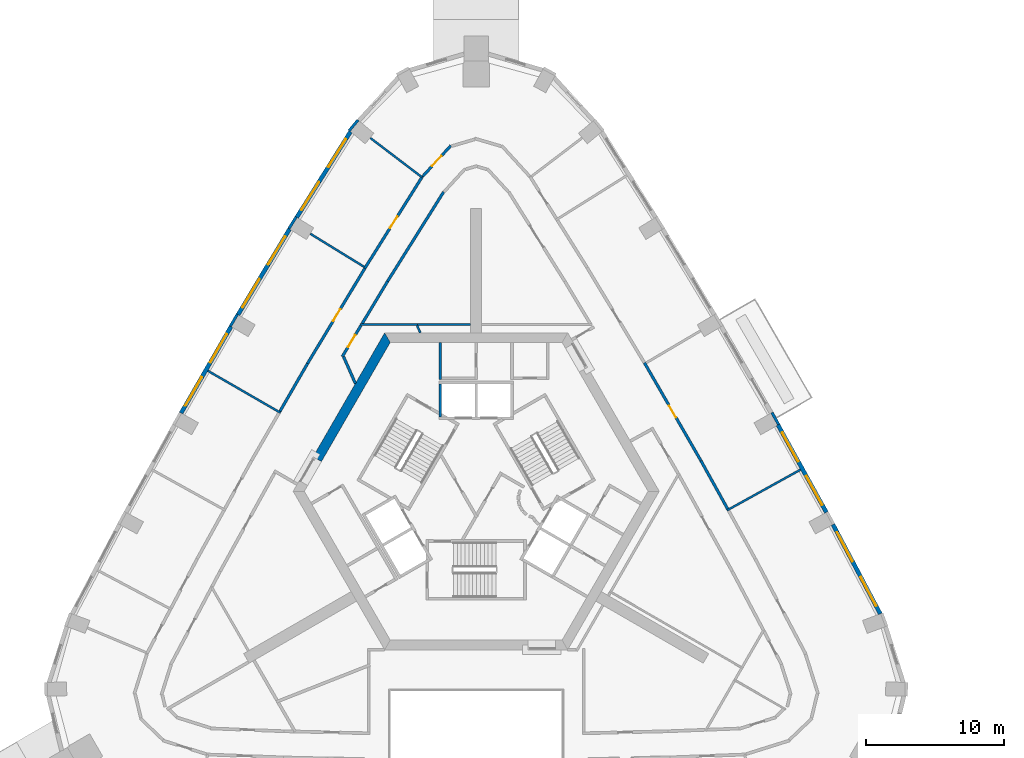
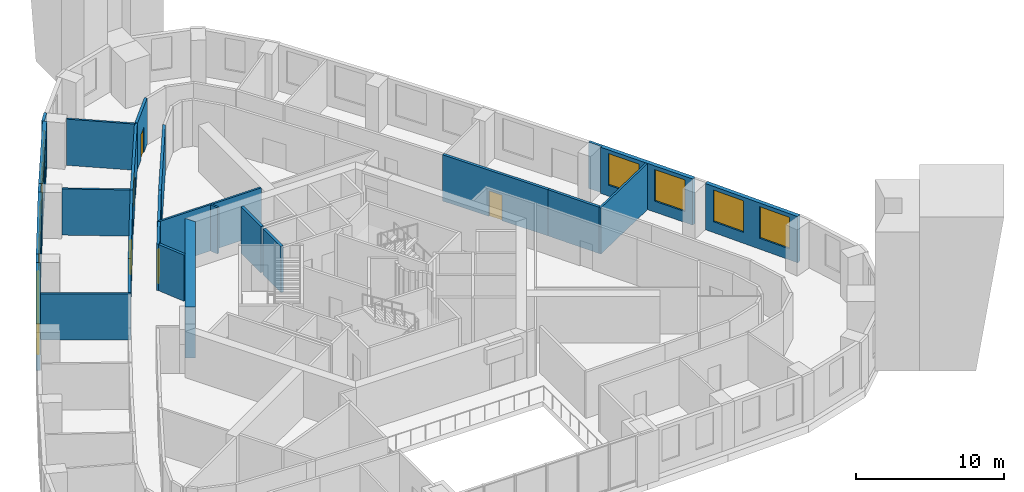
# One storey, part 8 of 13: 29 walls, 10 windows, 5 doors, 15 openings.
"""IFC4 building model written with IfcOpenShell, lengths in metres."""

from ifc_helpers import new_model, si_unit, direction, frame, frame_2d, origin, place, context, subcontext, project, spatial, polyline, rectangle, outline, extrude, material, layer, layer_set, type_object, element, fill, save


model = new_model("IFC4")

# Units and contexts
model_context = context("Model", 3, precision=1e-05, world=origin(), true_north=direction((0.0, 1.0)))
body_context = subcontext(model_context, "Body", "Model", "MODEL_VIEW")
ifc_project = project(units=[si_unit("LENGTHUNIT", "METRE"), si_unit("AREAUNIT", "SQUARE_METRE"), si_unit("VOLUMEUNIT", "CUBIC_METRE"), si_unit("PLANEANGLEUNIT", "RADIAN"), si_unit("MASSUNIT", "GRAM", prefix="KILO")], contexts=[model_context])

# Site, building, storey
site_placement = place(None, origin())
site = spatial("IfcSite", under=ifc_project, at=site_placement, CompositionType="ELEMENT")
building_placement = place(site_placement, origin())
building = spatial("IfcBuilding", under=site, at=building_placement, Name="Entoto Arch Interchange Tower", CompositionType="ELEMENT")
storey_placement = place(building_placement, frame((0.0, 0.0, 215.0)))
storey = spatial("IfcBuildingStorey", under=building, at=storey_placement, Name="L48", CompositionType="ELEMENT", Elevation=215.0)

# Walls
ifc_material_1 = material(Name="Concrete C50/60", Category="concrete")
ifc_layer_1 = layer(ifc_material_1, 0.699951171875)
ifc_layer_set_1 = layer_set([ifc_layer_1], Name="Concrete C50/60")
wall_type_1 = type_object("IfcWallType", Name="Core wall 700 C50/60", PredefinedType="SHEAR", material=ifc_layer_set_1)
wall_1_placement = place(storey_placement, frame((0.0, 0.0, -0.39990234375)))
element("IfcWall", 1, at=wall_1_placement, inside=storey, type_object=wall_type_1, Name="Core wall NW L48", PredefinedType="SHEAR", context=body_context, shape_type="SweptSolid", body=[
    extrude(outline(polyline([(-11.833984375, 5.001953125), (-11.22802734375, 4.652099609375), (-6.235107421875, 13.300048828125), (-6.639892578125, 14.0), (-11.833984375, 5.001953125)])), origin(), (0.0, 0.0, 1.0), 4.199951171875),
])
ifc_material_2 = material(Name="Concrete C40/50", Category="concrete")
ifc_layer_2 = layer(ifc_material_2, 0.199951171875)
ifc_layer_set_2 = layer_set([ifc_layer_2], Name="Concrete C40/50")
wall_type_2 = type_object("IfcWallType", Name="LIFT SHAFT WALL 200", PredefinedType="STANDARD", material=ifc_layer_set_2)
wall_2_placement = place(storey_placement, frame((-2.60009765625, 7.89990234375, 0.0), z_axis=(0.0, 0.0, 1.0), x_axis=(0.0, 1.0, 0.0)))
element("IfcWall", 2, at=wall_2_placement, inside=storey, type_object=wall_type_2, Name="Shaft wall N1 cross 3", PredefinedType="STANDARD", context=body_context, shape_type="SweptSolid", body=[
    extrude(rectangle(XDim=2.400146484375, YDim=0.199951171875, at=frame_2d((1.2001953125, 0.0))), origin(), (0.0, 0.0, 1.0), 3.800048828125),
])
ifc_material_3 = material(Name="Gypsum board partition on steel studs", Category="steel")
ifc_layer_3 = layer(ifc_material_3, 0.14990234375)
ifc_layer_set_3 = layer_set([ifc_layer_3], Name="Gypsum board partition on steel studs")
wall_type_3 = type_object("IfcWallType", Name="PARTITION 150", PredefinedType="PARTITIONING", material=ifc_layer_set_3)
wall_3_placement = place(storey_placement, frame((-4.054931640625, 14.0, 0.0), z_axis=(0.0, 0.0, 1.0), x_axis=(-0.404850841056, 0.914382740703, 0.0)))
element("IfcWall", 3, at=wall_3_placement, inside=storey, type_object=wall_type_3, Name="wall:L48:p083", PredefinedType="PARTITIONING", context=body_context, shape_type="SweptSolid", body=[
    extrude(rectangle(XDim=0.580810546875, YDim=0.14990234375, at=frame_2d((0.29052734375, 0.0))), origin(), (0.0, 0.0, 1.0), 3.800048828125),
])
wall_4_placement = place(storey_placement, frame((-4.2451171875, 14.60009765625, 0.0), z_axis=(0.0, 0.0, 1.0), x_axis=(-1.0, 0.0, 0.0)))
element("IfcWall", 4, at=wall_4_placement, inside=storey, type_object=wall_type_3, Name="wall:L48:p085", PredefinedType="PARTITIONING", context=body_context, shape_type="SweptSolid", body=[
    extrude(rectangle(XDim=4.169921875, YDim=0.14990234375, at=frame_2d((2.0849609375, 0.0))), origin(), (0.0, 0.0, 1.0), 3.800048828125),
])
wall_5_placement = place(storey_placement, frame((18.18896484375, 1.111083984375, 0.0), z_axis=(0.0, 0.0, 1.0), x_axis=(0.874928335558, 0.484252421405, 0.0)))
element("IfcWall", 5, at=wall_5_placement, inside=storey, type_object=wall_type_3, Name="wall:L48:p119", PredefinedType="PARTITIONING", context=body_context, shape_type="SweptSolid", body=[
    extrude(rectangle(XDim=6.099853515625, YDim=0.14990234375, at=frame_2d((3.0498046875, 0.0))), origin(), (0.0, 0.0, 1.0), 3.800048828125),
])
wall_6_placement = place(storey_placement, frame((-3.93603515625, 25.285888671875, 0.0), z_axis=(0.0, 0.0, 1.0), x_axis=(-0.795977117067, 0.605326712698, 0.0)))
element("IfcWall", 6, at=wall_6_placement, inside=storey, type_object=wall_type_3, Name="wall:L48:p123", PredefinedType="PARTITIONING", context=body_context, shape_type="SweptSolid", body=[
    extrude(rectangle(XDim=4.70361328125, YDim=0.14990234375, at=frame_2d((2.351806640625, 0.0))), origin(), (0.0, 0.0, 1.0), 3.800048828125),
])
wall_7_placement = place(storey_placement, frame((-8.131103515625, 18.783935546875, 0.0), z_axis=(0.0, 0.0, 1.0), x_axis=(-0.851969320918, 0.52359170755, 0.0)))
element("IfcWall", 7, at=wall_7_placement, inside=storey, type_object=wall_type_3, Name="wall:L48:p124", PredefinedType="PARTITIONING", context=body_context, shape_type="SweptSolid", body=[
    extrude(rectangle(XDim=4.579833984375, YDim=0.14990234375, at=frame_2d((2.2900390625, 0.0))), origin(), (0.0, 0.0, 1.0), 3.800048828125),
])
wall_8_placement = place(storey_placement, frame((-14.18701171875, 8.18994140625, 0.0), z_axis=(0.0, 0.0, 1.0), x_axis=(-0.865990270311, 0.500060848024, 0.0)))
element("IfcWall", 8, at=wall_8_placement, inside=storey, type_object=wall_type_3, Name="wall:L48:p125", PredefinedType="PARTITIONING", context=body_context, shape_type="SweptSolid", body=[
    extrude(rectangle(XDim=6.099365234375, YDim=0.14990234375, at=frame_2d((3.0498046875, 0.0))), origin(), (0.0, 0.0, 1.0), 3.800048828125),
])
wall_9_placement = place(storey_placement, frame((-0.39990234375, 14.60009765625, 0.0), z_axis=(0.0, 0.0, 1.0), x_axis=(-1.0, 0.0, 0.0)))
element("IfcWall", 9, at=wall_9_placement, inside=storey, type_object=wall_type_3, Name="wall:L48:p084", PredefinedType="PARTITIONING", context=body_context, shape_type="SweptSolid", body=[
    extrude(rectangle(XDim=3.84521484375, YDim=0.14990234375, at=frame_2d((1.922607421875, 0.0))), origin(), (0.0, 0.0, 1.0), 3.800048828125),
])

# Wall, opening, door
ifc_layer_4 = layer(ifc_material_3, 0.199951171875)
ifc_layer_set_4 = layer_set([ifc_layer_4], Name="Gypsum board partition on steel studs")
wall_type_4 = type_object("IfcWallType", Name="PARTITION 200", PredefinedType="PARTITIONING", material=ifc_layer_set_4)
wall_10_placement = place(storey_placement, frame((-8.35302734375, 14.535888671875, 0.0), z_axis=(0.0, 0.0, 1.0), x_axis=(-0.515636196259, -0.856807628997, 0.0)))
wall_10 = element("IfcWall", 10, at=wall_10_placement, inside=storey, type_object=wall_type_4, Name="wall:L48:p002", PredefinedType="PARTITIONING", context=body_context, shape_type="SweptSolid", body=[
    extrude(rectangle(XDim=2.643310546875, YDim=0.199951171875, at=frame_2d((1.32177734375, 0.0))), origin(), (0.0, 0.0, 1.0), 3.800048828125),
])
opening_1_placement = place(wall_10_placement, frame((0.822021484375, 0.0, 0.0)))
opening_1 = element("IfcOpeningElement", 11, at=opening_1_placement, cuts=wall_10, Name="Opening L48-D26", PredefinedType="OPENING", context=body_context, shape_type="SweptSolid", body=[
    extrude(rectangle(XDim=1.0, YDim=2.10009765625, at=frame_2d((0.5, 1.050048828125))), frame((0.0, 0.10986328125, 0.0), z_axis=(0.0, -1.0, 0.0), x_axis=(1.0, 0.0, 0.0)), (0.0, 0.0, 1.0), 0.219970703125),
])
ifc_material_4 = material(Name="Timber door leaf in Steel S235 frame", Category="steel")
door_type = type_object("IfcDoorType", Name="DOOR DS-10 1000x2100", OperationType="SINGLE_SWING_LEFT", PredefinedType="DOOR", material=ifc_material_4)
door_1_placement = place(opening_1_placement, origin())
door_1 = element("IfcDoor", 12, at=door_1_placement, inside=storey, type_object=door_type, Name="door:L48:26", OperationType="SINGLE_SWING_LEFT", OverallHeight=2.10009765625, OverallWidth=1.0, PredefinedType="DOOR", context=body_context, shape_type="SweptSolid", body=[
    extrude(rectangle(XDim=1.0, YDim=2.10009765625, at=frame_2d((0.5, 1.050048828125))), frame((0.0, 0.02490234375, 0.0), z_axis=(0.0, -1.0, 0.0), x_axis=(1.0, 0.0, 0.0)), (0.0, 0.0, 1.0), 0.050048828125),
])
fill(opening_1, door_1)

# Walls
wall_11_placement = place(storey_placement, frame((-9.6240234375, 12.264892578125, 0.0), z_axis=(0.0, 0.0, 1.0), x_axis=(0.404081180606, -0.914723127225, 0.0)))
element("IfcWall", 13, at=wall_11_placement, inside=storey, type_object=wall_type_4, Name="wall:L48:p003", PredefinedType="PARTITIONING", context=body_context, shape_type="SweptSolid", body=[
    extrude(rectangle(XDim=2.126220703125, YDim=0.199951171875, at=frame_2d((1.06298828125, 0.0))), origin(), (0.0, 0.0, 1.0), 3.800048828125),
])
wall_12_placement = place(storey_placement, frame((-2.364013671875, 24.216064453125, 0.0), z_axis=(0.0, 0.0, 1.0), x_axis=(-0.531335643981, -0.847161397512, 0.0)))
element("IfcWall", 14, at=wall_12_placement, inside=storey, type_object=wall_type_4, Name="wall:L48:p012", PredefinedType="PARTITIONING", context=body_context, shape_type="SweptSolid", body=[
    extrude(rectangle(XDim=7.646728515625, YDim=0.199951171875, at=frame_2d((3.8232421875, 0.0))), origin(), (0.0, 0.0, 1.0), 3.800048828125),
])
wall_13_placement = place(storey_placement, frame((-6.427001953125, 17.738037109375, 0.0), z_axis=(0.0, 0.0, 1.0), x_axis=(-0.515416266777, -0.85693994652, 0.0)))
element("IfcWall", 15, at=wall_13_placement, inside=storey, type_object=wall_type_4, Name="wall:L48:p013", PredefinedType="PARTITIONING", context=body_context, shape_type="SweptSolid", body=[
    extrude(rectangle(XDim=3.587158203125, YDim=0.199951171875, at=frame_2d((1.79345703125, 0.0))), origin(), (0.0, 0.0, 1.0), 3.800048828125),
])

# Wall, opening, door
wall_14_placement = place(storey_placement, frame((12.201904296875, 11.827880859375, 0.0), z_axis=(0.0, 0.0, 1.0), x_axis=(0.499919823193, -0.866071688937, 0.0)))
wall_14 = element("IfcWall", 16, at=wall_14_placement, inside=storey, type_object=wall_type_4, Name="wall:L48:p043", PredefinedType="PARTITIONING", context=body_context, shape_type="SweptSolid", body=[
    extrude(rectangle(XDim=8.209228515625, YDim=0.199951171875, at=frame_2d((4.1044921875, 0.0))), origin(), (0.0, 0.0, 1.0), 3.800048828125),
])
opening_2_placement = place(wall_14_placement, frame((3.60400390625, 0.0, 0.0)))
opening_2 = element("IfcOpeningElement", 17, at=opening_2_placement, cuts=wall_14, Name="Opening L48-D04", PredefinedType="OPENING", context=body_context, shape_type="SweptSolid", body=[
    extrude(rectangle(XDim=1.0, YDim=2.10009765625, at=frame_2d((0.5, 1.050048828125))), frame((0.0, 0.10986328125, 0.0), z_axis=(0.0, -1.0, 0.0), x_axis=(1.0, 0.0, 0.0)), (0.0, 0.0, 1.0), 0.219970703125),
])
door_2_placement = place(opening_2_placement, origin())
door_2 = element("IfcDoor", 18, at=door_2_placement, inside=storey, type_object=door_type, Name="door:L48:04", OperationType="SINGLE_SWING_RIGHT", OverallHeight=2.10009765625, OverallWidth=1.0, PredefinedType="DOOR", context=body_context, shape_type="SweptSolid", body=[
    extrude(rectangle(XDim=1.0, YDim=2.10009765625, at=frame_2d((0.5, 1.050048828125))), frame((0.0, 0.02490234375, 0.0), z_axis=(0.0, -1.0, 0.0), x_axis=(1.0, 0.0, 0.0)), (0.0, 0.0, 1.0), 0.050048828125),
])
fill(opening_2, door_2)

# Wall
wall_15_placement = place(storey_placement, frame((16.305908203125, 4.718017578125, 0.0), z_axis=(0.0, 0.0, 1.0), x_axis=(0.484411997038, -0.874839995156, 0.0)))
element("IfcWall", 19, at=wall_15_placement, inside=storey, type_object=wall_type_4, Name="wall:L48:p044", PredefinedType="PARTITIONING", context=body_context, shape_type="SweptSolid", body=[
    extrude(rectangle(XDim=3.99267578125, YDim=0.199951171875, at=frame_2d((1.996337890625, 0.0))), origin(), (0.0, 0.0, 1.0), 3.800048828125),
])

# Wall, opening, door
wall_16_placement = place(storey_placement, frame((-3.868896484375, 25.360107421875, 0.0), z_axis=(0.0, 0.0, 1.0), x_axis=(0.674594755709, 0.738188265668, 0.0)))
wall_16 = element("IfcWall", 20, at=wall_16_placement, inside=storey, type_object=wall_type_4, Name="wall:L48:p048", PredefinedType="PARTITIONING", context=body_context, shape_type="SweptSolid", body=[
    extrude(rectangle(XDim=3.006103515625, YDim=0.199951171875, at=frame_2d((1.5029296875, 0.0))), origin(), (0.0, 0.0, 1.0), 3.800048828125),
])
opening_3_placement = place(wall_16_placement, frame((1.0029296875, 0.0, 0.0)))
opening_3 = element("IfcOpeningElement", 21, at=opening_3_placement, cuts=wall_16, Name="Opening L48-D07", PredefinedType="OPENING", context=body_context, shape_type="SweptSolid", body=[
    extrude(rectangle(XDim=1.0, YDim=2.10009765625, at=frame_2d((0.5, 1.050048828125))), frame((0.0, 0.10986328125, 0.0), z_axis=(0.0, -1.0, 0.0), x_axis=(1.0, 0.0, 0.0)), (0.0, 0.0, 1.0), 0.219970703125),
])
door_3_placement = place(opening_3_placement, origin())
door_3 = element("IfcDoor", 22, at=door_3_placement, inside=storey, type_object=door_type, Name="door:L48:07", OperationType="SINGLE_SWING_LEFT", OverallHeight=2.10009765625, OverallWidth=1.0, PredefinedType="DOOR", context=body_context, shape_type="SweptSolid", body=[
    extrude(rectangle(XDim=1.0, YDim=2.10009765625, at=frame_2d((0.5, 1.050048828125))), frame((0.0, 0.02490234375, 0.0), z_axis=(0.0, -1.0, 0.0), x_axis=(1.0, 0.0, 0.0)), (0.0, 0.0, 1.0), 0.050048828125),
])
fill(opening_3, door_3)

wall_17_placement = place(storey_placement, frame((-8.0859375, 18.6689453125, 0.0), z_axis=(0.0, 0.0, 1.0), x_axis=(0.531329962263, 0.847164961033, 0.0)))
wall_17 = element("IfcWall", 23, at=wall_17_placement, inside=storey, type_object=wall_type_4, Name="wall:L48:p052", PredefinedType="PARTITIONING", context=body_context, shape_type="SweptSolid", body=[
    extrude(rectangle(XDim=7.91015625, YDim=0.199951171875, at=frame_2d((3.955078125, 0.0))), origin(), (0.0, 0.0, 1.0), 3.800048828125),
])
opening_4_placement = place(wall_17_placement, frame((3.455078125, 0.0, 0.0)))
opening_4 = element("IfcOpeningElement", 24, at=opening_4_placement, cuts=wall_17, Name="Opening L48-D08", PredefinedType="OPENING", context=body_context, shape_type="SweptSolid", body=[
    extrude(rectangle(XDim=1.0, YDim=2.10009765625, at=frame_2d((0.5, 1.050048828125))), frame((0.0, 0.10986328125, 0.0), z_axis=(0.0, -1.0, 0.0), x_axis=(1.0, 0.0, 0.0)), (0.0, 0.0, 1.0), 0.219970703125),
])
door_4_placement = place(opening_4_placement, origin())
door_4 = element("IfcDoor", 25, at=door_4_placement, inside=storey, type_object=door_type, Name="door:L48:08", OperationType="SINGLE_SWING_RIGHT", OverallHeight=2.10009765625, OverallWidth=1.0, PredefinedType="DOOR", context=body_context, shape_type="SweptSolid", body=[
    extrude(rectangle(XDim=1.0, YDim=2.10009765625, at=frame_2d((0.5, 1.050048828125))), frame((0.0, 0.02490234375, 0.0), z_axis=(0.0, -1.0, 0.0), x_axis=(1.0, 0.0, 0.0)), (0.0, 0.0, 1.0), 0.050048828125),
])
fill(opening_4, door_4)

# Wall
wall_18_placement = place(storey_placement, frame((-14.236083984375, 8.304931640625, 0.0), z_axis=(0.0, 0.0, 1.0), x_axis=(0.500110539333, 0.865961574464, 0.0)))
element("IfcWall", 26, at=wall_18_placement, inside=storey, type_object=wall_type_4, Name="wall:L48:p053", PredefinedType="PARTITIONING", context=body_context, shape_type="SweptSolid", body=[
    extrude(rectangle(XDim=3.9931640625, YDim=0.199951171875, at=frame_2d((1.99658203125, 0.0))), origin(), (0.0, 0.0, 1.0), 3.800048828125),
])

# Wall, opening, door
wall_19_placement = place(storey_placement, frame((-12.239013671875, 11.762939453125, 0.0), z_axis=(0.0, 0.0, 1.0), x_axis=(0.515591302858, 0.856834644734, 0.0)))
wall_19 = element("IfcWall", 27, at=wall_19_placement, inside=storey, type_object=wall_type_4, Name="wall:L48:p054", PredefinedType="PARTITIONING", context=body_context, shape_type="SweptSolid", body=[
    extrude(rectangle(XDim=8.058837890625, YDim=0.199951171875, at=frame_2d((4.029296875, 0.0))), origin(), (0.0, 0.0, 1.0), 3.800048828125),
])
opening_5_placement = place(wall_19_placement, frame((3.60400390625, 0.0, 0.0)))
opening_5 = element("IfcOpeningElement", 28, at=opening_5_placement, cuts=wall_19, Name="Opening L48-D09", PredefinedType="OPENING", context=body_context, shape_type="SweptSolid", body=[
    extrude(rectangle(XDim=1.0, YDim=2.10009765625, at=frame_2d((0.5, 1.050048828125))), frame((0.0, 0.10986328125, 0.0), z_axis=(0.0, -1.0, 0.0), x_axis=(1.0, 0.0, 0.0)), (0.0, 0.0, 1.0), 0.219970703125),
])
door_5_placement = place(opening_5_placement, origin())
door_5 = element("IfcDoor", 29, at=door_5_placement, inside=storey, type_object=door_type, Name="door:L48:09", OperationType="SINGLE_SWING_RIGHT", OverallHeight=2.10009765625, OverallWidth=1.0, PredefinedType="DOOR", context=body_context, shape_type="SweptSolid", body=[
    extrude(rectangle(XDim=1.0, YDim=2.10009765625, at=frame_2d((0.5, 1.050048828125))), frame((0.0, 0.02490234375, 0.0), z_axis=(0.0, -1.0, 0.0), x_axis=(1.0, 0.0, 0.0)), (0.0, 0.0, 1.0), 0.050048828125),
])
fill(opening_5, door_5)

# Wall
wall_20_placement = place(storey_placement, frame((-2.60009765625, 10.60009765625, 0.0), z_axis=(0.0, 0.0, 1.0), x_axis=(0.0, 1.0, 0.0)))
element("IfcWall", 30, at=wall_20_placement, inside=storey, type_object=wall_type_4, Name="wall:L48:p072", PredefinedType="PARTITIONING", context=body_context, shape_type="SweptSolid", body=[
    extrude(rectangle(XDim=2.699951171875, YDim=0.199951171875, at=frame_2d((1.35009765625, 0.0))), origin(), (0.0, 0.0, 1.0), 3.800048828125),
])

# Wall, openings, windows
ifc_material_5 = material(Name="Welded tuff (ignimbrite) cladding, warm buff", Category="masonry")
ifc_layer_5 = layer(ifc_material_5, 0.300048828125)
ifc_layer_set_5 = layer_set([ifc_layer_5], Name="Welded tuff (ignimbrite) cladding, warm buff")
wall_type_5 = type_object("IfcWallType", Name="STONE INFILL WALL 300", PredefinedType="STANDARD", material=ifc_layer_set_5)
wall_21_placement = place(storey_placement, frame((29.322021484375, -6.39599609375, 0.0), z_axis=(0.0, 0.0, 1.0), x_axis=(-0.468020680141, 0.8837175131, 0.0)))
wall_21 = element("IfcWall", 31, at=wall_21_placement, inside=storey, type_object=wall_type_5, Name="Facade wall NE-01 L48", PredefinedType="STANDARD", context=body_context, shape_type="SweptSolid", body=[
    extrude(rectangle(XDim=7.339599609375, YDim=0.300048828125, at=frame_2d((3.669921875, 0.0))), origin(), (0.0, 0.0, 1.0), 3.800048828125),
])
opening_6_placement = place(wall_21_placement, frame((0.635009765625, 0.0, 0.89990234375)))
opening_6 = element("IfcOpeningElement", 32, at=opening_6_placement, cuts=wall_21, Name="Opening WO-A", PredefinedType="OPENING", context=body_context, shape_type="SweptSolid", body=[
    extrude(rectangle(XDim=2.39990234375, YDim=2.60009765625, at=frame_2d((1.199951171875, 1.300048828125))), frame((0.0, 0.16015625, 0.0), z_axis=(0.0, -1.0, 0.0), x_axis=(1.0, 0.0, 0.0)), (0.0, 0.0, 1.0), 0.320068359375),
])
opening_7_placement = place(wall_21_placement, frame((4.304931640625, 0.0, 0.89990234375)))
opening_7 = element("IfcOpeningElement", 33, at=opening_7_placement, cuts=wall_21, Name="Opening WO-A", PredefinedType="OPENING", context=body_context, shape_type="SweptSolid", body=[
    extrude(rectangle(XDim=2.39990234375, YDim=2.60009765625, at=frame_2d((1.199951171875, 1.300048828125))), frame((0.0, 0.16015625, 0.0), z_axis=(0.0, -1.0, 0.0), x_axis=(1.0, 0.0, 0.0)), (0.0, 0.0, 1.0), 0.320068359375),
])
ifc_material_6 = material(Name="Clear glass, low-e double glazed", Category="glass")
window_type = type_object("IfcWindowType", Name="WINDOW WO-A 2400x2600", PartitioningType="DOUBLE_PANEL_VERTICAL", PredefinedType="WINDOW", material=ifc_material_6)
window_1_placement = place(opening_6_placement, origin())
window_1 = element("IfcWindow", 34, at=window_1_placement, inside=storey, type_object=window_type, Name="Window WO-A NE-01 L48", OverallHeight=2.60009765625, OverallWidth=2.39990234375, PartitioningType="SINGLE_PANEL", PredefinedType="WINDOW", context=body_context, shape_type="SweptSolid", body=[
    extrude(rectangle(XDim=2.39990234375, YDim=2.60009765625, at=frame_2d((1.199951171875, 1.300048828125))), frame((0.0, 0.030029296875, 0.0), z_axis=(0.0, -1.0, 0.0), x_axis=(1.0, 0.0, 0.0)), (0.0, 0.0, 1.0), 0.06005859375),
])
fill(opening_6, window_1)
window_2_placement = place(opening_7_placement, origin())
window_2 = element("IfcWindow", 35, at=window_2_placement, inside=storey, type_object=window_type, Name="Window WO-A NE-01 L48", OverallHeight=2.60009765625, OverallWidth=2.39990234375, PartitioningType="SINGLE_PANEL", PredefinedType="WINDOW", context=body_context, shape_type="SweptSolid", body=[
    extrude(rectangle(XDim=2.39990234375, YDim=2.60009765625, at=frame_2d((1.199951171875, 1.300048828125))), frame((0.0, 0.030029296875, 0.0), z_axis=(0.0, -1.0, 0.0), x_axis=(1.0, 0.0, 0.0)), (0.0, 0.0, 1.0), 0.06005859375),
])
fill(opening_7, window_2)

wall_22_placement = place(storey_placement, frame((25.410888671875, 0.968017578125, 0.0), z_axis=(0.0, 0.0, 1.0), x_axis=(-0.484163461668, 0.87497756679, 0.0)))
wall_22 = element("IfcWall", 36, at=wall_22_placement, inside=storey, type_object=wall_type_5, Name="Facade wall NE-02 L48", PredefinedType="STANDARD", context=body_context, shape_type="SweptSolid", body=[
    extrude(rectangle(XDim=7.2470703125, YDim=0.300048828125, at=frame_2d((3.62353515625, 0.0))), origin(), (0.0, 0.0, 1.0), 3.800048828125),
])
opening_8_placement = place(wall_22_placement, frame((0.612060546875, 0.0, 0.89990234375)))
opening_8 = element("IfcOpeningElement", 37, at=opening_8_placement, cuts=wall_22, Name="Opening WO-A", PredefinedType="OPENING", context=body_context, shape_type="SweptSolid", body=[
    extrude(rectangle(XDim=2.39990234375, YDim=2.60009765625, at=frame_2d((1.199951171875, 1.300048828125))), frame((0.0, 0.16015625, 0.0), z_axis=(0.0, -1.0, 0.0), x_axis=(1.0, 0.0, 0.0)), (0.0, 0.0, 1.0), 0.320068359375),
])
opening_9_placement = place(wall_22_placement, frame((4.235107421875, 0.0, 0.89990234375)))
opening_9 = element("IfcOpeningElement", 38, at=opening_9_placement, cuts=wall_22, Name="Opening WO-A", PredefinedType="OPENING", context=body_context, shape_type="SweptSolid", body=[
    extrude(rectangle(XDim=2.39990234375, YDim=2.60009765625, at=frame_2d((1.199951171875, 1.300048828125))), frame((0.0, 0.16015625, 0.0), z_axis=(0.0, -1.0, 0.0), x_axis=(1.0, 0.0, 0.0)), (0.0, 0.0, 1.0), 0.320068359375),
])
window_3_placement = place(opening_8_placement, origin())
window_3 = element("IfcWindow", 39, at=window_3_placement, inside=storey, type_object=window_type, Name="Window WO-A NE-02 L48", OverallHeight=2.60009765625, OverallWidth=2.39990234375, PartitioningType="SINGLE_PANEL", PredefinedType="WINDOW", context=body_context, shape_type="SweptSolid", body=[
    extrude(rectangle(XDim=2.39990234375, YDim=2.60009765625, at=frame_2d((1.199951171875, 1.300048828125))), frame((0.0, 0.030029296875, 0.0), z_axis=(0.0, -1.0, 0.0), x_axis=(1.0, 0.0, 0.0)), (0.0, 0.0, 1.0), 0.06005859375),
])
fill(opening_8, window_3)
window_4_placement = place(opening_9_placement, origin())
window_4 = element("IfcWindow", 40, at=window_4_placement, inside=storey, type_object=window_type, Name="Window WO-A NE-02 L48", OverallHeight=2.60009765625, OverallWidth=2.39990234375, PartitioningType="SINGLE_PANEL", PredefinedType="WINDOW", context=body_context, shape_type="SweptSolid", body=[
    extrude(rectangle(XDim=2.39990234375, YDim=2.60009765625, at=frame_2d((1.199951171875, 1.300048828125))), frame((0.0, 0.030029296875, 0.0), z_axis=(0.0, -1.0, 0.0), x_axis=(1.0, 0.0, 0.0)), (0.0, 0.0, 1.0), 0.06005859375),
])
fill(opening_9, window_4)

wall_23_placement = place(storey_placement, frame((-9.1220703125, 28.592041015625, 0.0), z_axis=(0.0, 0.0, 1.0), x_axis=(-0.531239262679, -0.847221839773, 0.0)))
wall_23 = element("IfcWall", 41, at=wall_23_placement, inside=storey, type_object=wall_type_5, Name="Facade wall NW-01 L48", PredefinedType="STANDARD", context=body_context, shape_type="SweptSolid", body=[
    extrude(rectangle(XDim=7.33935546875, YDim=0.300048828125, at=frame_2d((3.669677734375, 0.0))), origin(), (0.0, 0.0, 1.0), 3.800048828125),
])
opening_10_placement = place(wall_23_placement, frame((0.635009765625, 0.0, 0.89990234375)))
opening_10 = element("IfcOpeningElement", 42, at=opening_10_placement, cuts=wall_23, Name="Opening WO-A", PredefinedType="OPENING", context=body_context, shape_type="SweptSolid", body=[
    extrude(rectangle(XDim=2.39990234375, YDim=2.60009765625, at=frame_2d((1.199951171875, 1.300048828125))), frame((0.0, 0.16015625, 0.0), z_axis=(0.0, -1.0, 0.0), x_axis=(1.0, 0.0, 0.0)), (0.0, 0.0, 1.0), 0.320068359375),
])
opening_11_placement = place(wall_23_placement, frame((4.303955078125, 0.0, 0.89990234375)))
opening_11 = element("IfcOpeningElement", 43, at=opening_11_placement, cuts=wall_23, Name="Opening WO-A", PredefinedType="OPENING", context=body_context, shape_type="SweptSolid", body=[
    extrude(rectangle(XDim=2.39990234375, YDim=2.60009765625, at=frame_2d((1.199951171875, 1.300048828125))), frame((0.0, 0.16015625, 0.0), z_axis=(0.0, -1.0, 0.0), x_axis=(1.0, 0.0, 0.0)), (0.0, 0.0, 1.0), 0.320068359375),
])
window_5_placement = place(opening_10_placement, origin())
window_5 = element("IfcWindow", 44, at=window_5_placement, inside=storey, type_object=window_type, Name="Window WO-A NW-01 L48", OverallHeight=2.60009765625, OverallWidth=2.39990234375, PartitioningType="SINGLE_PANEL", PredefinedType="WINDOW", context=body_context, shape_type="SweptSolid", body=[
    extrude(rectangle(XDim=2.39990234375, YDim=2.60009765625, at=frame_2d((1.199951171875, 1.300048828125))), frame((0.0, 0.030029296875, 0.0), z_axis=(0.0, -1.0, 0.0), x_axis=(1.0, 0.0, 0.0)), (0.0, 0.0, 1.0), 0.06005859375),
])
fill(opening_10, window_5)
window_6_placement = place(opening_11_placement, origin())
window_6 = element("IfcWindow", 45, at=window_6_placement, inside=storey, type_object=window_type, Name="Window WO-A NW-01 L48", OverallHeight=2.60009765625, OverallWidth=2.39990234375, PartitioningType="SINGLE_PANEL", PredefinedType="WINDOW", context=body_context, shape_type="SweptSolid", body=[
    extrude(rectangle(XDim=2.39990234375, YDim=2.60009765625, at=frame_2d((1.199951171875, 1.300048828125))), frame((0.0, 0.030029296875, 0.0), z_axis=(0.0, -1.0, 0.0), x_axis=(1.0, 0.0, 0.0)), (0.0, 0.0, 1.0), 0.06005859375),
])
fill(opening_11, window_6)

wall_24_placement = place(storey_placement, frame((-13.5439453125, 21.52392578125, 0.0), z_axis=(0.0, 0.0, 1.0), x_axis=(-0.515560283412, -0.856853309597, 0.0)))
wall_24 = element("IfcWall", 46, at=wall_24_placement, inside=storey, type_object=wall_type_5, Name="Facade wall NW-02 L48", PredefinedType="STANDARD", context=body_context, shape_type="SweptSolid", body=[
    extrude(rectangle(XDim=7.24853515625, YDim=0.300048828125, at=frame_2d((3.624267578125, 0.0))), origin(), (0.0, 0.0, 1.0), 3.800048828125),
])
opening_12_placement = place(wall_24_placement, frame((0.612060546875, 0.0, 0.89990234375)))
opening_12 = element("IfcOpeningElement", 47, at=opening_12_placement, cuts=wall_24, Name="Opening WO-A", PredefinedType="OPENING", context=body_context, shape_type="SweptSolid", body=[
    extrude(rectangle(XDim=2.39990234375, YDim=2.60009765625, at=frame_2d((1.199951171875, 1.300048828125))), frame((0.0, 0.16015625, 0.0), z_axis=(0.0, -1.0, 0.0), x_axis=(1.0, 0.0, 0.0)), (0.0, 0.0, 1.0), 0.320068359375),
])
opening_13_placement = place(wall_24_placement, frame((4.236083984375, 0.0, 0.89990234375)))
opening_13 = element("IfcOpeningElement", 48, at=opening_13_placement, cuts=wall_24, Name="Opening WO-A", PredefinedType="OPENING", context=body_context, shape_type="SweptSolid", body=[
    extrude(rectangle(XDim=2.39990234375, YDim=2.60009765625, at=frame_2d((1.199951171875, 1.300048828125))), frame((0.0, 0.16015625, 0.0), z_axis=(0.0, -1.0, 0.0), x_axis=(1.0, 0.0, 0.0)), (0.0, 0.0, 1.0), 0.320068359375),
])
window_7_placement = place(opening_12_placement, origin())
window_7 = element("IfcWindow", 49, at=window_7_placement, inside=storey, type_object=window_type, Name="Window WO-A NW-02 L48", OverallHeight=2.60009765625, OverallWidth=2.39990234375, PartitioningType="SINGLE_PANEL", PredefinedType="WINDOW", context=body_context, shape_type="SweptSolid", body=[
    extrude(rectangle(XDim=2.39990234375, YDim=2.60009765625, at=frame_2d((1.199951171875, 1.300048828125))), frame((0.0, 0.030029296875, 0.0), z_axis=(0.0, -1.0, 0.0), x_axis=(1.0, 0.0, 0.0)), (0.0, 0.0, 1.0), 0.06005859375),
])
fill(opening_12, window_7)
window_8_placement = place(opening_13_placement, origin())
window_8 = element("IfcWindow", 50, at=window_8_placement, inside=storey, type_object=window_type, Name="Window WO-A NW-02 L48", OverallHeight=2.60009765625, OverallWidth=2.39990234375, PartitioningType="SINGLE_PANEL", PredefinedType="WINDOW", context=body_context, shape_type="SweptSolid", body=[
    extrude(rectangle(XDim=2.39990234375, YDim=2.60009765625, at=frame_2d((1.199951171875, 1.300048828125))), frame((0.0, 0.030029296875, 0.0), z_axis=(0.0, -1.0, 0.0), x_axis=(1.0, 0.0, 0.0)), (0.0, 0.0, 1.0), 0.06005859375),
])
fill(opening_13, window_8)

wall_25_placement = place(storey_placement, frame((-17.787109375, 14.4541015625, 0.0), z_axis=(0.0, 0.0, 1.0), x_axis=(-0.499968351115, -0.866043675505, 0.0)))
wall_25 = element("IfcWall", 51, at=wall_25_placement, inside=storey, type_object=wall_type_5, Name="Facade wall NW-03 L48", PredefinedType="STANDARD", context=body_context, shape_type="SweptSolid", body=[
    extrude(rectangle(XDim=7.248046875, YDim=0.300048828125, at=frame_2d((3.6240234375, 0.0))), origin(), (0.0, 0.0, 1.0), 3.800048828125),
])
opening_14_placement = place(wall_25_placement, frame((0.612060546875, 0.0, 0.89990234375)))
opening_14 = element("IfcOpeningElement", 52, at=opening_14_placement, cuts=wall_25, Name="Opening WO-A", PredefinedType="OPENING", context=body_context, shape_type="SweptSolid", body=[
    extrude(rectangle(XDim=2.39990234375, YDim=2.60009765625, at=frame_2d((1.199951171875, 1.300048828125))), frame((0.0, 0.16015625, 0.0), z_axis=(0.0, -1.0, 0.0), x_axis=(1.0, 0.0, 0.0)), (0.0, 0.0, 1.0), 0.320068359375),
])
opening_15_placement = place(wall_25_placement, frame((4.236083984375, 0.0, 0.89990234375)))
opening_15 = element("IfcOpeningElement", 53, at=opening_15_placement, cuts=wall_25, Name="Opening WO-A", PredefinedType="OPENING", context=body_context, shape_type="SweptSolid", body=[
    extrude(rectangle(XDim=2.39990234375, YDim=2.60009765625, at=frame_2d((1.199951171875, 1.300048828125))), frame((0.0, 0.16015625, 0.0), z_axis=(0.0, -1.0, 0.0), x_axis=(1.0, 0.0, 0.0)), (0.0, 0.0, 1.0), 0.320068359375),
])
window_9_placement = place(opening_14_placement, origin())
window_9 = element("IfcWindow", 54, at=window_9_placement, inside=storey, type_object=window_type, Name="Window WO-A NW-03 L48", OverallHeight=2.60009765625, OverallWidth=2.39990234375, PartitioningType="SINGLE_PANEL", PredefinedType="WINDOW", context=body_context, shape_type="SweptSolid", body=[
    extrude(rectangle(XDim=2.39990234375, YDim=2.60009765625, at=frame_2d((1.199951171875, 1.300048828125))), frame((0.0, 0.030029296875, 0.0), z_axis=(0.0, -1.0, 0.0), x_axis=(1.0, 0.0, 0.0)), (0.0, 0.0, 1.0), 0.06005859375),
])
fill(opening_14, window_9)
window_10_placement = place(opening_15_placement, origin())
window_10 = element("IfcWindow", 55, at=window_10_placement, inside=storey, type_object=window_type, Name="Window WO-A NW-03 L48", OverallHeight=2.60009765625, OverallWidth=2.39990234375, PartitioningType="SINGLE_PANEL", PredefinedType="WINDOW", context=body_context, shape_type="SweptSolid", body=[
    extrude(rectangle(XDim=2.39990234375, YDim=2.60009765625, at=frame_2d((1.199951171875, 1.300048828125))), frame((0.0, 0.030029296875, 0.0), z_axis=(0.0, -1.0, 0.0), x_axis=(1.0, 0.0, 0.0)), (0.0, 0.0, 1.0), 0.06005859375),
])
fill(opening_15, window_10)

# Walls
ifc_layer_6 = layer(ifc_material_5, 0.199951171875)
ifc_layer_set_6 = layer_set([ifc_layer_6], Name="Welded tuff (ignimbrite) cladding, warm buff")
wall_type_6 = type_object("IfcWallType", Name="STONE PIER CLADDING 200", PredefinedType="STANDARD", material=ifc_layer_set_6)
wall_26_placement = place(storey_placement, frame((21.949951171875, 7.333984375, 0.0), z_axis=(0.0, 0.0, 1.0), x_axis=(-0.491743606947, 0.87074004446, 0.0)))
element("IfcWall", 56, at=wall_26_placement, inside=storey, type_object=wall_type_6, Name="Stone pier NE03 L48", PredefinedType="STANDARD", context=body_context, shape_type="SweptSolid", body=[
    extrude(rectangle(XDim=1.00048828125, YDim=0.199951171875, at=frame_2d((0.500244140625, 0.0))), origin(), (0.0, 0.0, 1.0), 3.800048828125),
])
wall_27_placement = place(storey_placement, frame((-8.574951171875, 29.43603515625, 0.0), z_axis=(0.0, 0.0, 1.0), x_axis=(-0.637972365578, -0.770059257953, 0.0)))
element("IfcWall", 57, at=wall_27_placement, inside=storey, type_object=wall_type_6, Name="Stone pier NW01 L48", PredefinedType="STANDARD", context=body_context, shape_type="SweptSolid", body=[
    extrude(rectangle(XDim=1.0, YDim=0.199951171875, at=frame_2d((0.5, 0.0))), origin(), (0.0, 0.0, 1.0), 3.800048828125),
])
wall_28_placement = place(storey_placement, frame((-13.06591796875, 22.403076171875, 0.0), z_axis=(0.0, 0.0, 1.0), x_axis=(-0.525825307325, -0.850592585306, 0.0)))
element("IfcWall", 58, at=wall_28_placement, inside=storey, type_object=wall_type_6, Name="Stone pier NW02 L48", PredefinedType="STANDARD", context=body_context, shape_type="SweptSolid", body=[
    extrude(rectangle(XDim=1.00048828125, YDim=0.199951171875, at=frame_2d((0.500244140625, 0.0))), origin(), (0.0, 0.0, 1.0), 3.800048828125),
])
wall_29_placement = place(storey_placement, frame((-17.326904296875, 15.342041015625, 0.0), z_axis=(0.0, 0.0, 1.0), x_axis=(-0.508161541526, -0.861261776531, 0.0)))
element("IfcWall", 59, at=wall_29_placement, inside=storey, type_object=wall_type_6, Name="Stone pier NW03 L48", PredefinedType="STANDARD", context=body_context, shape_type="SweptSolid", body=[
    extrude(rectangle(XDim=0.999755859375, YDim=0.199951171875, at=frame_2d((0.5, 0.0))), origin(), (0.0, 0.0, 1.0), 3.800048828125),
])

save(model, "model.ifc")
